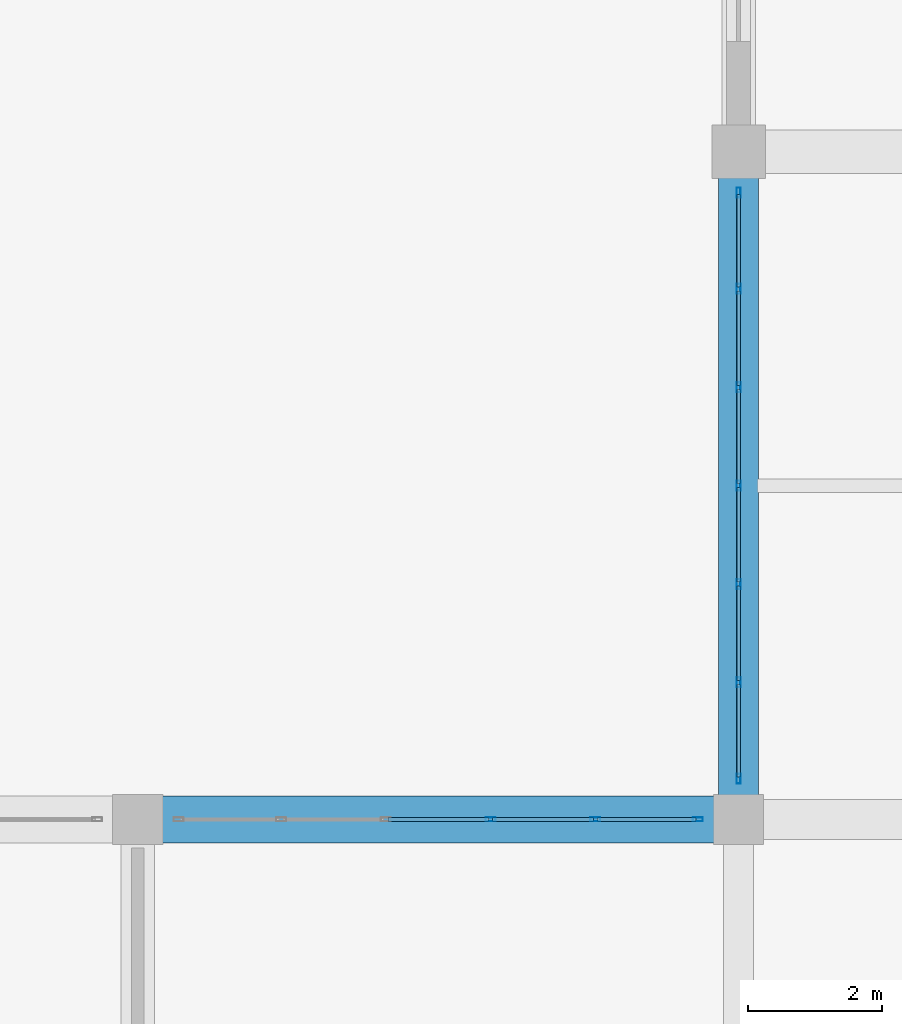
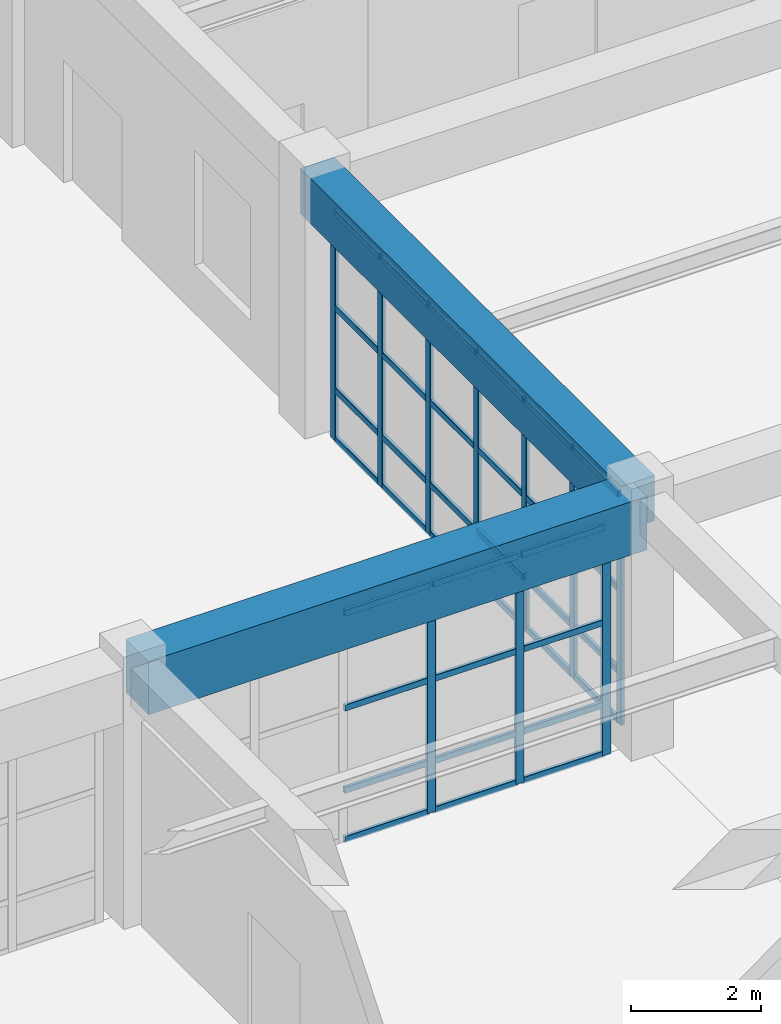
# One storey, part 58 of 128: 46 members, 2 beams, 2 elements without a shape of their own.
"""IFC4 building model written with IfcOpenShell, lengths in metres."""

from ifc_helpers import new_model, si_unit, direction, frame, origin, origin_2d, place, context, subcontext, project, spatial, rectangle, hollow_rectangle, extrude, material, material_profile, profile_set, type_object, element, aggregate, save


model = new_model("IFC4")

# Units and contexts
model_context = context("Model", 3, precision=1e-05, world=origin(), true_north=direction((0.0, 1.0)))
body_context = subcontext(model_context, "Body", "Model", "MODEL_VIEW")
ifc_project = project(units=[si_unit("LENGTHUNIT", "METRE"), si_unit("AREAUNIT", "SQUARE_METRE"), si_unit("VOLUMEUNIT", "CUBIC_METRE"), si_unit("PLANEANGLEUNIT", "RADIAN"), si_unit("MASSUNIT", "GRAM", prefix="KILO")], contexts=[model_context])

# Site, building, storey
site_placement = place(None, origin())
site = spatial("IfcSite", under=ifc_project, at=site_placement, CompositionType="ELEMENT")
building_placement = place(site_placement, origin())
building = spatial("IfcBuilding", under=site, at=building_placement, Name="Miravela Opera House", CompositionType="ELEMENT")
storey_placement = place(building_placement, origin())
storey = spatial("IfcBuildingStorey", under=building, at=storey_placement, Name="L00", CompositionType="ELEMENT", Elevation=0.0)

# Curtain wall, members
ifc_material_1 = material(Name="Anodised architectural bronze aluminium 6063-T6", Category="aluminium")
curtain_wall_type = type_object("IfcCurtainWallType", Name="ARC-CW-04", PredefinedType="NOTDEFINED", material=ifc_material_1)
curtain_wall_1_placement = place(storey_placement, origin())
curtain_wall_1 = element("IfcCurtainWall", 1, at=curtain_wall_1_placement, inside=storey, type_object=curtain_wall_type, Name="Courtyard Arcade Curtain Wall CW-L00-070", PredefinedType="NOTDEFINED")
ifc_material_profile_1 = material_profile(ifc_material_1, hollow_rectangle(XDim=0.06005859375, YDim=0.14990234375, WallThickness=0.00390625, InnerFilletRadius=0.001953125, OuterFilletRadius=0.00390625, at=origin_2d()), Name="CWM-60X150")
ifc_profile_set_1 = profile_set([ifc_material_profile_1])
member_type_1 = type_object("IfcMemberType", Name="ARC-CWM-150", PredefinedType="MULLION", material=ifc_profile_set_1)
member_1_placement = place(storey_placement, frame((59.283935546875, 84.0, 0.0), z_axis=(0.0, 0.0, 1.0), x_axis=(0.0, 1.0, 0.0)))
member_1 = element("IfcMember", 2, at=member_1_placement, type_object=member_type_1, Name="CW-04 mullion 4", PredefinedType="MULLION", context=body_context, shape_type="SweptSolid", body=[
    extrude(hollow_rectangle(XDim=0.06005859375, YDim=0.14990234375, WallThickness=0.00390625, InnerFilletRadius=0.001953125, OuterFilletRadius=0.00390625, at=origin_2d()), origin(), (0.0, 0.0, 1.0), 4.300048828125),
])
member_2_placement = place(storey_placement, frame((60.85205078125, 84.0, 0.0), z_axis=(0.0, 0.0, 1.0), x_axis=(0.0, 1.0, 0.0)))
member_2 = element("IfcMember", 3, at=member_2_placement, type_object=member_type_1, Name="CW-04 mullion 5", PredefinedType="MULLION", context=body_context, shape_type="SweptSolid", body=[
    extrude(hollow_rectangle(XDim=0.06005859375, YDim=0.14990234375, WallThickness=0.00390625, InnerFilletRadius=0.001953125, OuterFilletRadius=0.00390625, at=origin_2d()), origin(), (0.0, 0.0, 1.0), 4.300048828125),
])
member_3_placement = place(storey_placement, frame((62.389892578125, 84.0, 0.0), z_axis=(0.0, 0.0, 1.0), x_axis=(0.0, 1.0, 0.0)))
member_3 = element("IfcMember", 4, at=member_3_placement, type_object=member_type_1, Name="CW-04 mullion 6", PredefinedType="MULLION", context=body_context, shape_type="SweptSolid", body=[
    extrude(hollow_rectangle(XDim=0.06005859375, YDim=0.14990234375, WallThickness=0.00390625, InnerFilletRadius=0.001953125, OuterFilletRadius=0.00390625, at=origin_2d()), origin(), (0.0, 0.0, 1.0), 4.300048828125),
])

curtain_wall_2_placement = place(storey_placement, origin())
curtain_wall_2 = element("IfcCurtainWall", 5, at=curtain_wall_2_placement, inside=storey, type_object=curtain_wall_type, Name="Courtyard Arcade Curtain Wall CW-L00-076", PredefinedType="NOTDEFINED")
member_4_placement = place(storey_placement, frame((63.0, 84.610107421875, 0.0), z_axis=(0.0, 0.0, 1.0), x_axis=(-1.0, 0.0, 0.0)))
member_4 = element("IfcMember", 6, at=member_4_placement, type_object=member_type_1, Name="CW-04 mullion 1", PredefinedType="MULLION", context=body_context, shape_type="SweptSolid", body=[
    extrude(hollow_rectangle(XDim=0.06005859375, YDim=0.14990234375, WallThickness=0.00390625, InnerFilletRadius=0.001953125, OuterFilletRadius=0.00390625, at=origin_2d()), origin(), (0.0, 0.0, 1.0), 4.300048828125),
])
member_5_placement = place(storey_placement, frame((63.0, 86.05322265625, 0.0), z_axis=(0.0, 0.0, 1.0), x_axis=(-1.0, 0.0, 0.0)))
member_5 = element("IfcMember", 7, at=member_5_placement, type_object=member_type_1, Name="CW-04 mullion 2", PredefinedType="MULLION", context=body_context, shape_type="SweptSolid", body=[
    extrude(hollow_rectangle(XDim=0.06005859375, YDim=0.14990234375, WallThickness=0.00390625, InnerFilletRadius=0.001953125, OuterFilletRadius=0.00390625, at=origin_2d()), origin(), (0.0, 0.0, 1.0), 4.300048828125),
])
member_6_placement = place(storey_placement, frame((63.0, 87.526611328125, 0.0), z_axis=(0.0, 0.0, 1.0), x_axis=(-1.0, 0.0, 0.0)))
member_6 = element("IfcMember", 8, at=member_6_placement, type_object=member_type_1, Name="CW-04 mullion 3", PredefinedType="MULLION", context=body_context, shape_type="SweptSolid", body=[
    extrude(hollow_rectangle(XDim=0.06005859375, YDim=0.14990234375, WallThickness=0.00390625, InnerFilletRadius=0.001953125, OuterFilletRadius=0.00390625, at=origin_2d()), origin(), (0.0, 0.0, 1.0), 4.300048828125),
])
member_7_placement = place(storey_placement, frame((63.0, 89.0, 0.0), z_axis=(0.0, 0.0, 1.0), x_axis=(-1.0, 0.0, 0.0)))
member_7 = element("IfcMember", 9, at=member_7_placement, type_object=member_type_1, Name="CW-04 mullion 4", PredefinedType="MULLION", context=body_context, shape_type="SweptSolid", body=[
    extrude(hollow_rectangle(XDim=0.06005859375, YDim=0.14990234375, WallThickness=0.00390625, InnerFilletRadius=0.001953125, OuterFilletRadius=0.00390625, at=origin_2d()), origin(), (0.0, 0.0, 1.0), 4.300048828125),
])
member_8_placement = place(storey_placement, frame((63.0, 90.473388671875, 0.0), z_axis=(0.0, 0.0, 1.0), x_axis=(-1.0, 0.0, 0.0)))
member_8 = element("IfcMember", 10, at=member_8_placement, type_object=member_type_1, Name="CW-04 mullion 5", PredefinedType="MULLION", context=body_context, shape_type="SweptSolid", body=[
    extrude(hollow_rectangle(XDim=0.06005859375, YDim=0.14990234375, WallThickness=0.00390625, InnerFilletRadius=0.001953125, OuterFilletRadius=0.00390625, at=origin_2d()), origin(), (0.0, 0.0, 1.0), 4.300048828125),
])
member_9_placement = place(storey_placement, frame((63.0, 91.94677734375, 0.0), z_axis=(0.0, 0.0, 1.0), x_axis=(-1.0, 0.0, 0.0)))
member_9 = element("IfcMember", 11, at=member_9_placement, type_object=member_type_1, Name="CW-04 mullion 6", PredefinedType="MULLION", context=body_context, shape_type="SweptSolid", body=[
    extrude(hollow_rectangle(XDim=0.06005859375, YDim=0.14990234375, WallThickness=0.00390625, InnerFilletRadius=0.001953125, OuterFilletRadius=0.00390625, at=origin_2d()), origin(), (0.0, 0.0, 1.0), 4.300048828125),
])
member_10_placement = place(storey_placement, frame((63.0, 93.389892578125, 0.0), z_axis=(0.0, 0.0, 1.0), x_axis=(-1.0, 0.0, 0.0)))
member_10 = element("IfcMember", 12, at=member_10_placement, type_object=member_type_1, Name="CW-04 mullion 7", PredefinedType="MULLION", context=body_context, shape_type="SweptSolid", body=[
    extrude(hollow_rectangle(XDim=0.06005859375, YDim=0.14990234375, WallThickness=0.00390625, InnerFilletRadius=0.001953125, OuterFilletRadius=0.00390625, at=origin_2d()), origin(), (0.0, 0.0, 1.0), 4.300048828125),
])

# Member
ifc_material_profile_2 = material_profile(ifc_material_1, hollow_rectangle(XDim=0.06005859375, YDim=0.114990234375, WallThickness=0.00390625, InnerFilletRadius=0.001953125, OuterFilletRadius=0.00390625, at=origin_2d()), Name="CWT-60X115")
ifc_profile_set_2 = profile_set([ifc_material_profile_2])
member_type_2 = type_object("IfcMemberType", Name="ARC-CWT-115", PredefinedType="USERDEFINED", material=ifc_profile_set_2)
member_11_placement = place(storey_placement, frame((57.74609375, 84.0, 0.030029296875), z_axis=(1.0, 0.0, 0.0), x_axis=(0.0, 1.0, 0.0)))
member_11 = element("IfcMember", 13, at=member_11_placement, type_object=member_type_2, Name="CW-04 transom 3.1", ObjectType="TRANSOM", PredefinedType="USERDEFINED", context=body_context, shape_type="SweptSolid", body=[
    extrude(hollow_rectangle(XDim=0.06005859375, YDim=0.114990234375, WallThickness=0.00390625, InnerFilletRadius=0.001953125, OuterFilletRadius=0.00390625, at=origin_2d()), origin(), (0.0, 0.0, 1.0), 1.5078125),
])

member_12_placement = place(storey_placement, frame((57.74609375, 84.0, 0.949951171875), z_axis=(1.0, 0.0, 0.0), x_axis=(0.0, 1.0, 0.0)))
member_12 = element("IfcMember", 14, at=member_12_placement, type_object=member_type_2, Name="CW-04 transom 3.2", ObjectType="TRANSOM", PredefinedType="USERDEFINED", context=body_context, shape_type="SweptSolid", body=[
    extrude(hollow_rectangle(XDim=0.06005859375, YDim=0.114990234375, WallThickness=0.00390625, InnerFilletRadius=0.001953125, OuterFilletRadius=0.00390625, at=origin_2d()), origin(), (0.0, 0.0, 1.0), 1.5078125),
])

member_13_placement = place(storey_placement, frame((57.74609375, 84.0, 2.493896484375), z_axis=(1.0, 0.0, 0.0), x_axis=(0.0, 1.0, 0.0)))
member_13 = element("IfcMember", 15, at=member_13_placement, type_object=member_type_2, Name="CW-04 transom 3.3", ObjectType="TRANSOM", PredefinedType="USERDEFINED", context=body_context, shape_type="SweptSolid", body=[
    extrude(hollow_rectangle(XDim=0.06005859375, YDim=0.114990234375, WallThickness=0.00390625, InnerFilletRadius=0.001953125, OuterFilletRadius=0.00390625, at=origin_2d()), origin(), (0.0, 0.0, 1.0), 1.5078125),
])

member_14_placement = place(storey_placement, frame((57.74609375, 84.0, 4.27001953125), z_axis=(1.0, 0.0, 0.0), x_axis=(0.0, 1.0, 0.0)))
member_14 = element("IfcMember", 16, at=member_14_placement, type_object=member_type_2, Name="CW-04 transom 3.4", ObjectType="TRANSOM", PredefinedType="USERDEFINED", context=body_context, shape_type="SweptSolid", body=[
    extrude(hollow_rectangle(XDim=0.06005859375, YDim=0.114990234375, WallThickness=0.00390625, InnerFilletRadius=0.001953125, OuterFilletRadius=0.00390625, at=origin_2d()), origin(), (0.0, 0.0, 1.0), 1.5078125),
])

member_15_placement = place(storey_placement, frame((59.31396484375, 84.0, 0.030029296875), z_axis=(1.0, 0.0, 0.0), x_axis=(0.0, 1.0, 0.0)))
member_15 = element("IfcMember", 17, at=member_15_placement, type_object=member_type_2, Name="CW-04 transom 4.1", ObjectType="TRANSOM", PredefinedType="USERDEFINED", context=body_context, shape_type="SweptSolid", body=[
    extrude(hollow_rectangle(XDim=0.06005859375, YDim=0.114990234375, WallThickness=0.00390625, InnerFilletRadius=0.001953125, OuterFilletRadius=0.00390625, at=origin_2d()), origin(), (0.0, 0.0, 1.0), 1.508056640625),
])

member_16_placement = place(storey_placement, frame((59.31396484375, 84.0, 0.949951171875), z_axis=(1.0, 0.0, 0.0), x_axis=(0.0, 1.0, 0.0)))
member_16 = element("IfcMember", 18, at=member_16_placement, type_object=member_type_2, Name="CW-04 transom 4.2", ObjectType="TRANSOM", PredefinedType="USERDEFINED", context=body_context, shape_type="SweptSolid", body=[
    extrude(hollow_rectangle(XDim=0.06005859375, YDim=0.114990234375, WallThickness=0.00390625, InnerFilletRadius=0.001953125, OuterFilletRadius=0.00390625, at=origin_2d()), origin(), (0.0, 0.0, 1.0), 1.508056640625),
])

member_17_placement = place(storey_placement, frame((59.31396484375, 84.0, 2.493896484375), z_axis=(1.0, 0.0, 0.0), x_axis=(0.0, 1.0, 0.0)))
member_17 = element("IfcMember", 19, at=member_17_placement, type_object=member_type_2, Name="CW-04 transom 4.3", ObjectType="TRANSOM", PredefinedType="USERDEFINED", context=body_context, shape_type="SweptSolid", body=[
    extrude(hollow_rectangle(XDim=0.06005859375, YDim=0.114990234375, WallThickness=0.00390625, InnerFilletRadius=0.001953125, OuterFilletRadius=0.00390625, at=origin_2d()), origin(), (0.0, 0.0, 1.0), 1.508056640625),
])

member_18_placement = place(storey_placement, frame((59.31396484375, 84.0, 4.27001953125), z_axis=(1.0, 0.0, 0.0), x_axis=(0.0, 1.0, 0.0)))
member_18 = element("IfcMember", 20, at=member_18_placement, type_object=member_type_2, Name="CW-04 transom 4.4", ObjectType="TRANSOM", PredefinedType="USERDEFINED", context=body_context, shape_type="SweptSolid", body=[
    extrude(hollow_rectangle(XDim=0.06005859375, YDim=0.114990234375, WallThickness=0.00390625, InnerFilletRadius=0.001953125, OuterFilletRadius=0.00390625, at=origin_2d()), origin(), (0.0, 0.0, 1.0), 1.508056640625),
])

member_19_placement = place(storey_placement, frame((60.882080078125, 84.0, 0.030029296875), z_axis=(1.0, 0.0, 0.0), x_axis=(0.0, 1.0, 0.0)))
member_19 = element("IfcMember", 21, at=member_19_placement, type_object=member_type_2, Name="CW-04 transom 5.1", ObjectType="TRANSOM", PredefinedType="USERDEFINED", context=body_context, shape_type="SweptSolid", body=[
    extrude(hollow_rectangle(XDim=0.06005859375, YDim=0.114990234375, WallThickness=0.00390625, InnerFilletRadius=0.001953125, OuterFilletRadius=0.00390625, at=origin_2d()), origin(), (0.0, 0.0, 1.0), 1.47802734375),
])

member_20_placement = place(storey_placement, frame((60.882080078125, 84.0, 0.949951171875), z_axis=(1.0, 0.0, 0.0), x_axis=(0.0, 1.0, 0.0)))
member_20 = element("IfcMember", 22, at=member_20_placement, type_object=member_type_2, Name="CW-04 transom 5.2", ObjectType="TRANSOM", PredefinedType="USERDEFINED", context=body_context, shape_type="SweptSolid", body=[
    extrude(hollow_rectangle(XDim=0.06005859375, YDim=0.114990234375, WallThickness=0.00390625, InnerFilletRadius=0.001953125, OuterFilletRadius=0.00390625, at=origin_2d()), origin(), (0.0, 0.0, 1.0), 1.47802734375),
])

member_21_placement = place(storey_placement, frame((60.882080078125, 84.0, 2.493896484375), z_axis=(1.0, 0.0, 0.0), x_axis=(0.0, 1.0, 0.0)))
member_21 = element("IfcMember", 23, at=member_21_placement, type_object=member_type_2, Name="CW-04 transom 5.3", ObjectType="TRANSOM", PredefinedType="USERDEFINED", context=body_context, shape_type="SweptSolid", body=[
    extrude(hollow_rectangle(XDim=0.06005859375, YDim=0.114990234375, WallThickness=0.00390625, InnerFilletRadius=0.001953125, OuterFilletRadius=0.00390625, at=origin_2d()), origin(), (0.0, 0.0, 1.0), 1.47802734375),
])

member_22_placement = place(storey_placement, frame((60.882080078125, 84.0, 4.27001953125), z_axis=(1.0, 0.0, 0.0), x_axis=(0.0, 1.0, 0.0)))
member_22 = element("IfcMember", 24, at=member_22_placement, type_object=member_type_2, Name="CW-04 transom 5.4", ObjectType="TRANSOM", PredefinedType="USERDEFINED", context=body_context, shape_type="SweptSolid", body=[
    extrude(hollow_rectangle(XDim=0.06005859375, YDim=0.114990234375, WallThickness=0.00390625, InnerFilletRadius=0.001953125, OuterFilletRadius=0.00390625, at=origin_2d()), origin(), (0.0, 0.0, 1.0), 1.47802734375),
])

aggregate(curtain_wall_1, [member_1, member_2, member_3, member_11, member_12, member_13, member_14, member_15, member_16, member_17, member_18, member_19, member_20, member_21, member_22])

member_23_placement = place(storey_placement, frame((63.0, 84.639892578125, 0.030029296875), z_axis=(0.0, 1.0, 0.0), x_axis=(-1.0, 0.0, 0.0)))
member_23 = element("IfcMember", 25, at=member_23_placement, type_object=member_type_2, Name="CW-04 transom 1.1", ObjectType="TRANSOM", PredefinedType="USERDEFINED", context=body_context, shape_type="SweptSolid", body=[
    extrude(hollow_rectangle(XDim=0.06005859375, YDim=0.114990234375, WallThickness=0.00390625, InnerFilletRadius=0.001953125, OuterFilletRadius=0.00390625, at=origin_2d()), origin(), (0.0, 0.0, 1.0), 1.383544921875),
])

member_24_placement = place(storey_placement, frame((63.0, 84.639892578125, 0.949951171875), z_axis=(0.0, 1.0, 0.0), x_axis=(-1.0, 0.0, 0.0)))
member_24 = element("IfcMember", 26, at=member_24_placement, type_object=member_type_2, Name="CW-04 transom 1.2", ObjectType="TRANSOM", PredefinedType="USERDEFINED", context=body_context, shape_type="SweptSolid", body=[
    extrude(hollow_rectangle(XDim=0.06005859375, YDim=0.114990234375, WallThickness=0.00390625, InnerFilletRadius=0.001953125, OuterFilletRadius=0.00390625, at=origin_2d()), origin(), (0.0, 0.0, 1.0), 1.383544921875),
])

member_25_placement = place(storey_placement, frame((63.0, 84.639892578125, 2.493896484375), z_axis=(0.0, 1.0, 0.0), x_axis=(-1.0, 0.0, 0.0)))
member_25 = element("IfcMember", 27, at=member_25_placement, type_object=member_type_2, Name="CW-04 transom 1.3", ObjectType="TRANSOM", PredefinedType="USERDEFINED", context=body_context, shape_type="SweptSolid", body=[
    extrude(hollow_rectangle(XDim=0.06005859375, YDim=0.114990234375, WallThickness=0.00390625, InnerFilletRadius=0.001953125, OuterFilletRadius=0.00390625, at=origin_2d()), origin(), (0.0, 0.0, 1.0), 1.383544921875),
])

member_26_placement = place(storey_placement, frame((63.0, 84.639892578125, 4.27001953125), z_axis=(0.0, 1.0, 0.0), x_axis=(-1.0, 0.0, 0.0)))
member_26 = element("IfcMember", 28, at=member_26_placement, type_object=member_type_2, Name="CW-04 transom 1.4", ObjectType="TRANSOM", PredefinedType="USERDEFINED", context=body_context, shape_type="SweptSolid", body=[
    extrude(hollow_rectangle(XDim=0.06005859375, YDim=0.114990234375, WallThickness=0.00390625, InnerFilletRadius=0.001953125, OuterFilletRadius=0.00390625, at=origin_2d()), origin(), (0.0, 0.0, 1.0), 1.383544921875),
])

member_27_placement = place(storey_placement, frame((63.0, 86.083251953125, 0.030029296875), z_axis=(0.0, 1.0, 0.0), x_axis=(-1.0, 0.0, 0.0)))
member_27 = element("IfcMember", 29, at=member_27_placement, type_object=member_type_2, Name="CW-04 transom 2.1", ObjectType="TRANSOM", PredefinedType="USERDEFINED", context=body_context, shape_type="SweptSolid", body=[
    extrude(hollow_rectangle(XDim=0.06005859375, YDim=0.114990234375, WallThickness=0.00390625, InnerFilletRadius=0.001953125, OuterFilletRadius=0.00390625, at=origin_2d()), origin(), (0.0, 0.0, 1.0), 1.413330078125),
])

member_28_placement = place(storey_placement, frame((63.0, 86.083251953125, 0.949951171875), z_axis=(0.0, 1.0, 0.0), x_axis=(-1.0, 0.0, 0.0)))
member_28 = element("IfcMember", 30, at=member_28_placement, type_object=member_type_2, Name="CW-04 transom 2.2", ObjectType="TRANSOM", PredefinedType="USERDEFINED", context=body_context, shape_type="SweptSolid", body=[
    extrude(hollow_rectangle(XDim=0.06005859375, YDim=0.114990234375, WallThickness=0.00390625, InnerFilletRadius=0.001953125, OuterFilletRadius=0.00390625, at=origin_2d()), origin(), (0.0, 0.0, 1.0), 1.413330078125),
])

member_29_placement = place(storey_placement, frame((63.0, 86.083251953125, 2.493896484375), z_axis=(0.0, 1.0, 0.0), x_axis=(-1.0, 0.0, 0.0)))
member_29 = element("IfcMember", 31, at=member_29_placement, type_object=member_type_2, Name="CW-04 transom 2.3", ObjectType="TRANSOM", PredefinedType="USERDEFINED", context=body_context, shape_type="SweptSolid", body=[
    extrude(hollow_rectangle(XDim=0.06005859375, YDim=0.114990234375, WallThickness=0.00390625, InnerFilletRadius=0.001953125, OuterFilletRadius=0.00390625, at=origin_2d()), origin(), (0.0, 0.0, 1.0), 1.413330078125),
])

member_30_placement = place(storey_placement, frame((63.0, 86.083251953125, 4.27001953125), z_axis=(0.0, 1.0, 0.0), x_axis=(-1.0, 0.0, 0.0)))
member_30 = element("IfcMember", 32, at=member_30_placement, type_object=member_type_2, Name="CW-04 transom 2.4", ObjectType="TRANSOM", PredefinedType="USERDEFINED", context=body_context, shape_type="SweptSolid", body=[
    extrude(hollow_rectangle(XDim=0.06005859375, YDim=0.114990234375, WallThickness=0.00390625, InnerFilletRadius=0.001953125, OuterFilletRadius=0.00390625, at=origin_2d()), origin(), (0.0, 0.0, 1.0), 1.413330078125),
])

member_31_placement = place(storey_placement, frame((63.0, 87.556640625, 0.030029296875), z_axis=(0.0, 1.0, 0.0), x_axis=(-1.0, 0.0, 0.0)))
member_31 = element("IfcMember", 33, at=member_31_placement, type_object=member_type_2, Name="CW-04 transom 3.1", ObjectType="TRANSOM", PredefinedType="USERDEFINED", context=body_context, shape_type="SweptSolid", body=[
    extrude(hollow_rectangle(XDim=0.06005859375, YDim=0.114990234375, WallThickness=0.00390625, InnerFilletRadius=0.001953125, OuterFilletRadius=0.00390625, at=origin_2d()), origin(), (0.0, 0.0, 1.0), 1.413330078125),
])

member_32_placement = place(storey_placement, frame((63.0, 87.556640625, 0.949951171875), z_axis=(0.0, 1.0, 0.0), x_axis=(-1.0, 0.0, 0.0)))
member_32 = element("IfcMember", 34, at=member_32_placement, type_object=member_type_2, Name="CW-04 transom 3.2", ObjectType="TRANSOM", PredefinedType="USERDEFINED", context=body_context, shape_type="SweptSolid", body=[
    extrude(hollow_rectangle(XDim=0.06005859375, YDim=0.114990234375, WallThickness=0.00390625, InnerFilletRadius=0.001953125, OuterFilletRadius=0.00390625, at=origin_2d()), origin(), (0.0, 0.0, 1.0), 1.413330078125),
])

member_33_placement = place(storey_placement, frame((63.0, 87.556640625, 2.493896484375), z_axis=(0.0, 1.0, 0.0), x_axis=(-1.0, 0.0, 0.0)))
member_33 = element("IfcMember", 35, at=member_33_placement, type_object=member_type_2, Name="CW-04 transom 3.3", ObjectType="TRANSOM", PredefinedType="USERDEFINED", context=body_context, shape_type="SweptSolid", body=[
    extrude(hollow_rectangle(XDim=0.06005859375, YDim=0.114990234375, WallThickness=0.00390625, InnerFilletRadius=0.001953125, OuterFilletRadius=0.00390625, at=origin_2d()), origin(), (0.0, 0.0, 1.0), 1.413330078125),
])

member_34_placement = place(storey_placement, frame((63.0, 87.556640625, 4.27001953125), z_axis=(0.0, 1.0, 0.0), x_axis=(-1.0, 0.0, 0.0)))
member_34 = element("IfcMember", 36, at=member_34_placement, type_object=member_type_2, Name="CW-04 transom 3.4", ObjectType="TRANSOM", PredefinedType="USERDEFINED", context=body_context, shape_type="SweptSolid", body=[
    extrude(hollow_rectangle(XDim=0.06005859375, YDim=0.114990234375, WallThickness=0.00390625, InnerFilletRadius=0.001953125, OuterFilletRadius=0.00390625, at=origin_2d()), origin(), (0.0, 0.0, 1.0), 1.413330078125),
])

member_35_placement = place(storey_placement, frame((63.0, 89.030029296875, 0.030029296875), z_axis=(0.0, 1.0, 0.0), x_axis=(-1.0, 0.0, 0.0)))
member_35 = element("IfcMember", 37, at=member_35_placement, type_object=member_type_2, Name="CW-04 transom 4.1", ObjectType="TRANSOM", PredefinedType="USERDEFINED", context=body_context, shape_type="SweptSolid", body=[
    extrude(hollow_rectangle(XDim=0.06005859375, YDim=0.114990234375, WallThickness=0.00390625, InnerFilletRadius=0.001953125, OuterFilletRadius=0.00390625, at=origin_2d()), origin(), (0.0, 0.0, 1.0), 1.413330078125),
])

member_36_placement = place(storey_placement, frame((63.0, 89.030029296875, 0.949951171875), z_axis=(0.0, 1.0, 0.0), x_axis=(-1.0, 0.0, 0.0)))
member_36 = element("IfcMember", 38, at=member_36_placement, type_object=member_type_2, Name="CW-04 transom 4.2", ObjectType="TRANSOM", PredefinedType="USERDEFINED", context=body_context, shape_type="SweptSolid", body=[
    extrude(hollow_rectangle(XDim=0.06005859375, YDim=0.114990234375, WallThickness=0.00390625, InnerFilletRadius=0.001953125, OuterFilletRadius=0.00390625, at=origin_2d()), origin(), (0.0, 0.0, 1.0), 1.413330078125),
])

member_37_placement = place(storey_placement, frame((63.0, 89.030029296875, 2.493896484375), z_axis=(0.0, 1.0, 0.0), x_axis=(-1.0, 0.0, 0.0)))
member_37 = element("IfcMember", 39, at=member_37_placement, type_object=member_type_2, Name="CW-04 transom 4.3", ObjectType="TRANSOM", PredefinedType="USERDEFINED", context=body_context, shape_type="SweptSolid", body=[
    extrude(hollow_rectangle(XDim=0.06005859375, YDim=0.114990234375, WallThickness=0.00390625, InnerFilletRadius=0.001953125, OuterFilletRadius=0.00390625, at=origin_2d()), origin(), (0.0, 0.0, 1.0), 1.413330078125),
])

member_38_placement = place(storey_placement, frame((63.0, 89.030029296875, 4.27001953125), z_axis=(0.0, 1.0, 0.0), x_axis=(-1.0, 0.0, 0.0)))
member_38 = element("IfcMember", 40, at=member_38_placement, type_object=member_type_2, Name="CW-04 transom 4.4", ObjectType="TRANSOM", PredefinedType="USERDEFINED", context=body_context, shape_type="SweptSolid", body=[
    extrude(hollow_rectangle(XDim=0.06005859375, YDim=0.114990234375, WallThickness=0.00390625, InnerFilletRadius=0.001953125, OuterFilletRadius=0.00390625, at=origin_2d()), origin(), (0.0, 0.0, 1.0), 1.413330078125),
])

member_39_placement = place(storey_placement, frame((63.0, 90.50341796875, 0.030029296875), z_axis=(0.0, 1.0, 0.0), x_axis=(-1.0, 0.0, 0.0)))
member_39 = element("IfcMember", 41, at=member_39_placement, type_object=member_type_2, Name="CW-04 transom 5.1", ObjectType="TRANSOM", PredefinedType="USERDEFINED", context=body_context, shape_type="SweptSolid", body=[
    extrude(hollow_rectangle(XDim=0.06005859375, YDim=0.114990234375, WallThickness=0.00390625, InnerFilletRadius=0.001953125, OuterFilletRadius=0.00390625, at=origin_2d()), origin(), (0.0, 0.0, 1.0), 1.413330078125),
])

member_40_placement = place(storey_placement, frame((63.0, 90.50341796875, 0.949951171875), z_axis=(0.0, 1.0, 0.0), x_axis=(-1.0, 0.0, 0.0)))
member_40 = element("IfcMember", 42, at=member_40_placement, type_object=member_type_2, Name="CW-04 transom 5.2", ObjectType="TRANSOM", PredefinedType="USERDEFINED", context=body_context, shape_type="SweptSolid", body=[
    extrude(hollow_rectangle(XDim=0.06005859375, YDim=0.114990234375, WallThickness=0.00390625, InnerFilletRadius=0.001953125, OuterFilletRadius=0.00390625, at=origin_2d()), origin(), (0.0, 0.0, 1.0), 1.413330078125),
])

member_41_placement = place(storey_placement, frame((63.0, 90.50341796875, 2.493896484375), z_axis=(0.0, 1.0, 0.0), x_axis=(-1.0, 0.0, 0.0)))
member_41 = element("IfcMember", 43, at=member_41_placement, type_object=member_type_2, Name="CW-04 transom 5.3", ObjectType="TRANSOM", PredefinedType="USERDEFINED", context=body_context, shape_type="SweptSolid", body=[
    extrude(hollow_rectangle(XDim=0.06005859375, YDim=0.114990234375, WallThickness=0.00390625, InnerFilletRadius=0.001953125, OuterFilletRadius=0.00390625, at=origin_2d()), origin(), (0.0, 0.0, 1.0), 1.413330078125),
])

member_42_placement = place(storey_placement, frame((63.0, 90.50341796875, 4.27001953125), z_axis=(0.0, 1.0, 0.0), x_axis=(-1.0, 0.0, 0.0)))
member_42 = element("IfcMember", 44, at=member_42_placement, type_object=member_type_2, Name="CW-04 transom 5.4", ObjectType="TRANSOM", PredefinedType="USERDEFINED", context=body_context, shape_type="SweptSolid", body=[
    extrude(hollow_rectangle(XDim=0.06005859375, YDim=0.114990234375, WallThickness=0.00390625, InnerFilletRadius=0.001953125, OuterFilletRadius=0.00390625, at=origin_2d()), origin(), (0.0, 0.0, 1.0), 1.413330078125),
])

member_43_placement = place(storey_placement, frame((63.0, 91.9765625, 0.030029296875), z_axis=(0.0, 1.0, 0.0), x_axis=(-1.0, 0.0, 0.0)))
member_43 = element("IfcMember", 45, at=member_43_placement, type_object=member_type_2, Name="CW-04 transom 6.1", ObjectType="TRANSOM", PredefinedType="USERDEFINED", context=body_context, shape_type="SweptSolid", body=[
    extrude(hollow_rectangle(XDim=0.06005859375, YDim=0.114990234375, WallThickness=0.00390625, InnerFilletRadius=0.001953125, OuterFilletRadius=0.00390625, at=origin_2d()), origin(), (0.0, 0.0, 1.0), 1.383544921875),
])

member_44_placement = place(storey_placement, frame((63.0, 91.9765625, 0.949951171875), z_axis=(0.0, 1.0, 0.0), x_axis=(-1.0, 0.0, 0.0)))
member_44 = element("IfcMember", 46, at=member_44_placement, type_object=member_type_2, Name="CW-04 transom 6.2", ObjectType="TRANSOM", PredefinedType="USERDEFINED", context=body_context, shape_type="SweptSolid", body=[
    extrude(hollow_rectangle(XDim=0.06005859375, YDim=0.114990234375, WallThickness=0.00390625, InnerFilletRadius=0.001953125, OuterFilletRadius=0.00390625, at=origin_2d()), origin(), (0.0, 0.0, 1.0), 1.383544921875),
])

member_45_placement = place(storey_placement, frame((63.0, 91.9765625, 2.493896484375), z_axis=(0.0, 1.0, 0.0), x_axis=(-1.0, 0.0, 0.0)))
member_45 = element("IfcMember", 47, at=member_45_placement, type_object=member_type_2, Name="CW-04 transom 6.3", ObjectType="TRANSOM", PredefinedType="USERDEFINED", context=body_context, shape_type="SweptSolid", body=[
    extrude(hollow_rectangle(XDim=0.06005859375, YDim=0.114990234375, WallThickness=0.00390625, InnerFilletRadius=0.001953125, OuterFilletRadius=0.00390625, at=origin_2d()), origin(), (0.0, 0.0, 1.0), 1.383544921875),
])

member_46_placement = place(storey_placement, frame((63.0, 91.9765625, 4.27001953125), z_axis=(0.0, 1.0, 0.0), x_axis=(-1.0, 0.0, 0.0)))
member_46 = element("IfcMember", 48, at=member_46_placement, type_object=member_type_2, Name="CW-04 transom 6.4", ObjectType="TRANSOM", PredefinedType="USERDEFINED", context=body_context, shape_type="SweptSolid", body=[
    extrude(hollow_rectangle(XDim=0.06005859375, YDim=0.114990234375, WallThickness=0.00390625, InnerFilletRadius=0.001953125, OuterFilletRadius=0.00390625, at=origin_2d()), origin(), (0.0, 0.0, 1.0), 1.383544921875),
])

aggregate(curtain_wall_2, [member_4, member_5, member_6, member_7, member_8, member_9, member_10, member_23, member_24, member_25, member_26, member_27, member_28, member_29, member_30, member_31, member_32, member_33, member_34, member_35, member_36, member_37, member_38, member_39, member_40, member_41, member_42, member_43, member_44, member_45, member_46])

# Beams
ifc_material_2 = material(Name="Concrete C40/50", Category="concrete")
ifc_material_profile_3 = material_profile(ifc_material_2, rectangle(XDim=0.60009765625, YDim=0.85009765625, at=origin_2d()), Name="RC-BM-600X850")
ifc_profile_set_3 = profile_set([ifc_material_profile_3])
beam_type_1 = type_object("IfcBeamType", Name="STR-BM-RC600X850", PredefinedType="BEAM", material=ifc_profile_set_3)
beam_1_placement = place(storey_placement, frame((63.0, 84.080078125, 4.425048828125), z_axis=(0.0, 1.0, 0.0), x_axis=(-1.0, 0.0, 0.0)))
element("IfcBeam", 49, at=beam_1_placement, inside=storey, type_object=beam_type_1, Name="Floor Girder L00 8/J-K", PredefinedType="BEAM", context=body_context, shape_type="SweptSolid", body=[
    extrude(rectangle(XDim=0.60009765625, YDim=0.85009765625, at=origin_2d()), origin(), (0.0, 0.0, 1.0), 9.83984375),
])
ifc_material_profile_4 = material_profile(ifc_material_2, rectangle(XDim=0.699951171875, YDim=1.0, at=origin_2d()), Name="RC-BM-700X1000")
ifc_profile_set_4 = profile_set([ifc_material_profile_4])
beam_type_2 = type_object("IfcBeamType", Name="STR-BM-RC700X1000", PredefinedType="BEAM", material=ifc_profile_set_4)
beam_2_placement = place(storey_placement, frame((54.080078125, 84.0, 4.35009765625), z_axis=(1.0, 0.0, 0.0), x_axis=(0.0, 1.0, 0.0)))
element("IfcBeam", 50, at=beam_2_placement, inside=storey, type_object=beam_type_2, Name="Floor Girder L00 7-8/J", PredefinedType="BEAM", context=body_context, shape_type="SweptSolid", body=[
    extrude(rectangle(XDim=0.699951171875, YDim=1.0, at=origin_2d()), origin(), (0.0, 0.0, 1.0), 8.83984375),
])

save(model, "model.ifc")
